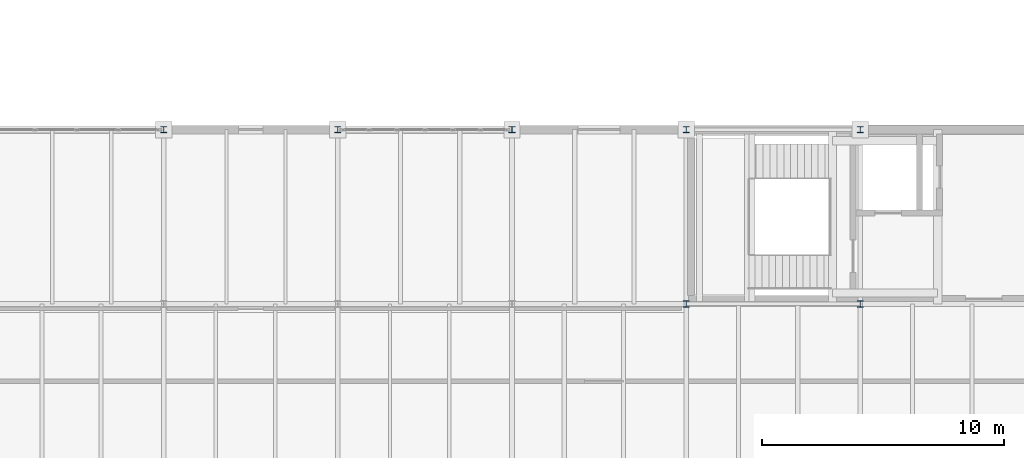
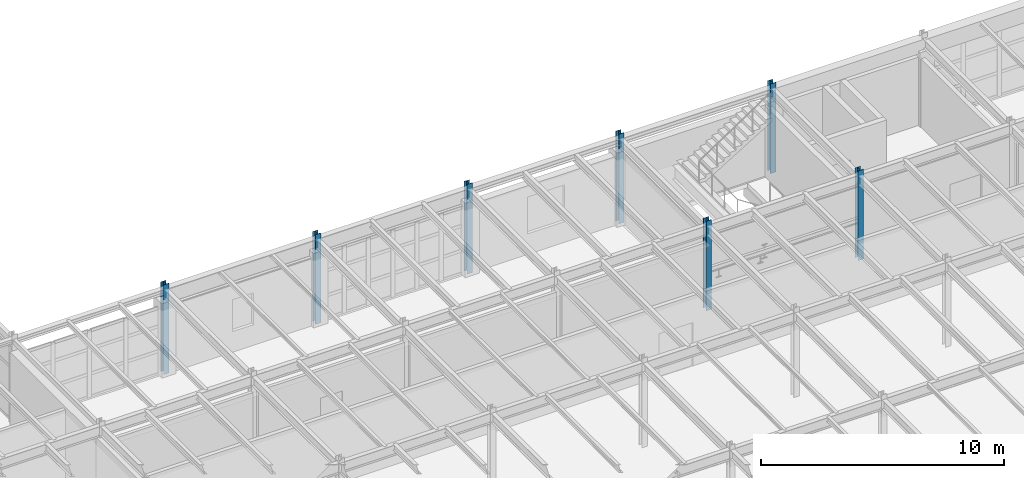
# One storey, part 6 of 137: 7 columns.
"""IFC4 building model written with IfcOpenShell, lengths in metres."""

import ifcopenshell
import ifcopenshell.guid

model = None  # the IFC model being written
_history = None  # IfcOwnerHistory: only IFC2X3 demands one
_inside = {}  # id of a spatial element -> (the spatial element, [elements in it])
_under = {}  # id of a project, library or spatial element -> (it, [spatial elements below it])
_declared = {}  # id of a project -> (the project, [libraries it declares])
_typed = {}  # id of a type object -> (the type object, [elements of that type])
_made_of = {}  # id of a material, layer set ... -> (it, [elements and type objects made of it])


def new_model(schema):
    """Start an empty IFC model of exactly this schema.

    Asked for "IFC4X3", IfcOpenShell would pick the latest addendum, in which some entities
    have other attributes; the version numbers below select the first issue.
    IFC2X3 requires an IfcOwnerHistory on every rooted entity: one is made here for all.
    """
    global model, _history
    if schema == "IFC4X3":
        model = ifcopenshell.file(schema_version=(4, 3, 0, 0))
    else:
        model = ifcopenshell.file(schema=schema)
    _inside.clear()
    _under.clear()
    _declared.clear()
    _typed.clear()
    _made_of.clear()
    _history = None
    if model.schema == "IFC2X3":
        org = make("IfcOrganization", Name="unknown")
        user = make(
            "IfcPersonAndOrganization",
            ThePerson=make("IfcPerson", FamilyName="unknown"),
            TheOrganization=org,
        )
        app = make(
            "IfcApplication",
            ApplicationDeveloper=org,
            Version="unknown",
            ApplicationFullName="unknown",
            ApplicationIdentifier="unknown",
        )
        _history = make(
            "IfcOwnerHistory",
            OwningUser=user,
            OwningApplication=app,
            ChangeAction="ADDED",
            CreationDate=0,
        )
    return model


def make(cls, **values):
    """One entity of the class cls with the attributes given. An attribute that is None is left unset."""
    return model.create_entity(
        cls, **{name: value for name, value in values.items() if value is not None}
    )


def rooted(cls, **values):
    """An entity with a GlobalId (a new one), such as an element, a storey or a relation."""
    return make(cls, GlobalId=ifcopenshell.guid.new(), OwnerHistory=_history, **values)


def si_unit(unit_type, name, prefix=None):
    """IfcSIUnit, for example si_unit("LENGTHUNIT", "METRE", prefix="MILLI")."""
    return make("IfcSIUnit", UnitType=unit_type, Prefix=prefix, Name=name)


def assignment(units):
    """IfcUnitAssignment: the units of a project."""
    return None if units is None else make("IfcUnitAssignment", Units=units)


def point(xyz):
    """IfcCartesianPoint."""
    return None if xyz is None else make("IfcCartesianPoint", Coordinates=xyz)


def direction(xyz):
    """IfcDirection."""
    return None if xyz is None else make("IfcDirection", DirectionRatios=xyz)


def frame(location, z_axis=None, x_axis=None):
    """IfcAxis2Placement3D, a coordinate frame: its origin and axes. An axis left out is left unset."""
    return make(
        "IfcAxis2Placement3D",
        Location=point(location),
        Axis=direction(z_axis),
        RefDirection=direction(x_axis),
    )


def frame_2d(location, x_axis=None):
    """IfcAxis2Placement2D, a coordinate frame in the plane: its origin and x axis."""
    return make(
        "IfcAxis2Placement2D", Location=point(location), RefDirection=direction(x_axis)
    )


def origin():
    """The frame at (0, 0, 0) with its axes left unset."""
    return frame((0.0, 0.0, 0.0))


def origin_2d():
    """The frame at (0, 0) in the plane with its x axis left unset."""
    return frame_2d((0.0, 0.0))


def place(relative_to, where):
    """IfcLocalPlacement: puts the frame where relative to a parent placement (None: the world)."""
    return make(
        "IfcLocalPlacement", PlacementRelTo=relative_to, RelativePlacement=where
    )


def context(
    kind, dimensions, precision=None, world=None, true_north=None, identifier=None
):
    """IfcGeometricRepresentationContext, for example the 3D "Model" context."""
    return make(
        "IfcGeometricRepresentationContext",
        ContextIdentifier=identifier,
        ContextType=kind,
        CoordinateSpaceDimension=dimensions,
        Precision=precision,
        WorldCoordinateSystem=world,
        TrueNorth=true_north,
    )


def subcontext(parent, identifier, kind, view, scale=None):
    """IfcGeometricRepresentationSubContext, for example "Body" below "Model"."""
    return make(
        "IfcGeometricRepresentationSubContext",
        ContextIdentifier=identifier,
        ContextType=kind,
        ParentContext=parent,
        TargetScale=scale,
        TargetView=view,
    )


def project(units=None, contexts=None):
    """IfcProject with its units and contexts."""
    return rooted(
        "IfcProject",
        Name="project",
        RepresentationContexts=contexts,
        UnitsInContext=assignment(units),
    )


def spatial(cls, under=None, at=None, **own):
    """A site, building, storey or space (cls), placed at a placement, below another one or the project."""
    s = rooted(cls, ObjectPlacement=at, **own)
    if under is not None:
        _under.setdefault(under.id(), (under, []))[1].append(s)
    return s


def profile(cls, at=None, kind="AREA", **sizes):
    """A parametric profile (cls). Its sizes go by their IFC names, for example OverallWidth=200.0."""
    return make(cls, ProfileType=kind, Position=at, **sizes)


def i_section(**sizes):
    """IfcIShapeProfileDef."""
    return profile("IfcIShapeProfileDef", **sizes)


def extrude(swept, where, along, depth):
    """IfcExtrudedAreaSolid: the profile swept, set in the frame where, extruded along a direction by depth."""
    return make(
        "IfcExtrudedAreaSolid",
        SweptArea=swept,
        Position=where,
        ExtrudedDirection=direction(along),
        Depth=depth,
    )


def shape(context_of_items, identifier, shape_type, items):
    """IfcShapeRepresentation: the items that make up one representation, for example the "Body"."""
    return make(
        "IfcShapeRepresentation",
        ContextOfItems=context_of_items,
        RepresentationIdentifier=identifier,
        RepresentationType=shape_type,
        Items=items,
    )


def material(Name=None, Category=None):
    """IfcMaterial."""
    return make("IfcMaterial", Name=Name, Category=Category)


def material_profile(
    of_material, cross_section, Name=None, Category=None, Priority=None
):
    """IfcMaterialProfile: a cross section and its material."""
    return make(
        "IfcMaterialProfile",
        Name=Name,
        Material=of_material,
        Profile=cross_section,
        Priority=Priority,
        Category=Category,
    )


def profile_set(profiles, Name=None, composite=None):
    """IfcMaterialProfileSet."""
    return make(
        "IfcMaterialProfileSet",
        Name=Name,
        MaterialProfiles=profiles,
        CompositeProfile=composite,
    )


def made_of(thing, what):
    """Note that an element or type object is made of a material, layer set ...; save() writes the relation."""
    if what is not None:
        _made_of.setdefault(what.id(), (what, []))[1].append(thing)
    return thing


def type_object(cls, material=None, **own):
    """A type object (cls), such as IfcWallType, which elements share."""
    return made_of(rooted(cls, **own), material)


def element(
    cls,
    number,
    at=None,
    inside=None,
    cuts=None,
    type_object=None,
    material=None,
    context=None,
    identifier="Body",
    shape_type=None,
    held_by="IfcProductDefinitionShape",
    body=None,
    shapes=None,
    **own,
):
    """One element of the class cls, such as IfcWall. Its Tag is "e" and its number.

    at: its placement. inside: the storey or other place that contains it. cuts: it is an
    opening in that element (IfcRelVoidsElement). A single representation is given by context,
    identifier, shape_type and body (its items); several are given by shapes. held_by: the class
    of the entity that holds the representations. save() writes the other relations.
    """
    e = rooted(cls, Tag="e%d" % number, ObjectPlacement=at, **own)
    if body is not None:
        shapes = [shape(context, identifier, shape_type, body)]
    if shapes is not None:
        e.Representation = make(held_by, Representations=shapes)
    if inside is not None:
        _inside.setdefault(inside.id(), (inside, []))[1].append(e)
    if cuts is not None:
        rooted(
            "IfcRelVoidsElement", RelatingBuildingElement=cuts, RelatedOpeningElement=e
        )
    if type_object is not None:
        _typed.setdefault(type_object.id(), (type_object, []))[1].append(e)
    return made_of(e, material)


def aggregate(whole, parts):
    """IfcRelAggregates: a whole, such as a stair, and the parts it consists of."""
    return rooted("IfcRelAggregates", RelatingObject=whole, RelatedObjects=parts)


def save(model, path):
    """Write the relations noted so far, then the file.

    IfcRelAggregates (storeys below a building ...), IfcRelContainedInSpatialStructure (elements
    in a storey), IfcRelDefinesByType, IfcRelAssociatesMaterial and IfcRelDeclares: one each for
    every whole, place, type object, material and project.
    """
    for whole, parts in _under.values():
        aggregate(whole, parts)
    for where, things in _inside.values():
        rooted(
            "IfcRelContainedInSpatialStructure",
            RelatedElements=things,
            RelatingStructure=where,
        )
    for kind, things in _typed.values():
        rooted("IfcRelDefinesByType", RelatedObjects=things, RelatingType=kind)
    for what, things in _made_of.values():
        rooted("IfcRelAssociatesMaterial", RelatedObjects=things, RelatingMaterial=what)
    for by, libraries in _declared.values():
        rooted("IfcRelDeclares", RelatingContext=by, RelatedDefinitions=libraries)
    model.write(path)


model = new_model("IFC4")

# Units and contexts
model_context = context("Model", 3, precision=1e-05, world=origin(), true_north=direction((0.0, 1.0)))
body_context = subcontext(model_context, "Body", "Model", "MODEL_VIEW")
ifc_project = project(units=[si_unit("LENGTHUNIT", "METRE"), si_unit("AREAUNIT", "SQUARE_METRE"), si_unit("VOLUMEUNIT", "CUBIC_METRE"), si_unit("PLANEANGLEUNIT", "RADIAN"), si_unit("MASSUNIT", "GRAM", prefix="KILO")], contexts=[model_context])

# Site, building, storey
site_placement = place(None, origin())
site = spatial("IfcSite", under=ifc_project, at=site_placement, CompositionType="ELEMENT")
building_placement = place(site_placement, origin())
building = spatial("IfcBuilding", under=site, at=building_placement, Name="Kemerveld Promenade Tramway Depot", CompositionType="ELEMENT")
storey_placement = place(building_placement, frame((0.0, 0.0, 5.39990234375)))
storey = spatial("IfcBuildingStorey", under=building, at=storey_placement, Name="L01", CompositionType="ELEMENT", Elevation=5.39990234375)

# Columns
ifc_material = material(Name="Steel S355", Category="steel")
ifc_material_profile = material_profile(ifc_material, i_section(OverallWidth=0.25634765625, OverallDepth=0.26025390625, WebThickness=0.01025390625, FlangeThickness=0.017333984375, FilletRadius=0.0126953125, at=origin_2d()), Name="254x254x89 UC")
ifc_profile_set = profile_set([ifc_material_profile], Name="Steel S355")
column_type = type_object("IfcColumnType", Name="COL-S08", PredefinedType="COLUMN", material=ifc_profile_set)
for number, where, z_axis, x_axis, name in (
    (1, (64.800048828125, 28.800048828125, 0.0), (0.0, 0.0, 1.0), (1.0, 0.0, 0.0), "COL-L01-10-E"),
    (2, (72.0, 28.800048828125, 0.0), (0.0, 0.0, 1.0), (1.0, 0.0, 0.0), "COL-L01-11-E"),
    (3, (79.199951171875, 28.800048828125, 0.0), (0.0, 0.0, 1.0), (1.0, 0.0, 0.0), "COL-L01-12-E"),
    (4, (86.39990234375, 21.60009765625, 0.0), (0.0, 0.0, 1.0), (1.0, 0.0, 0.0), "COL-L01-13-D"),
    (5, (86.39990234375, 28.800048828125, 0.0), (0.0, 0.0, 1.0), (1.0, 0.0, 0.0), "COL-L01-13-E"),
    (6, (93.60009765625, 21.60009765625, 0.0), (0.0, 0.0, 1.0), (1.0, 0.0, 0.0), "COL-L01-14-D"),
    (7, (93.60009765625, 28.800048828125, 0.0), (0.0, 0.0, 1.0), (1.0, 0.0, 0.0), "COL-L01-14-E"),
):
    element("IfcColumn", number, at=place(storey_placement, frame(where, z_axis=z_axis, x_axis=x_axis)), inside=storey, type_object=column_type, Name=name, PredefinedType="COLUMN", context=body_context, shape_type="SweptSolid", body=[
        extrude(i_section(OverallWidth=0.25634765625, OverallDepth=0.26025390625, WebThickness=0.01025390625, FlangeThickness=0.017333984375, FilletRadius=0.0126953125, at=origin_2d()), origin(), (0.0, 0.0, 1.0), 4.5),
    ])

save(model, "model.ifc")
